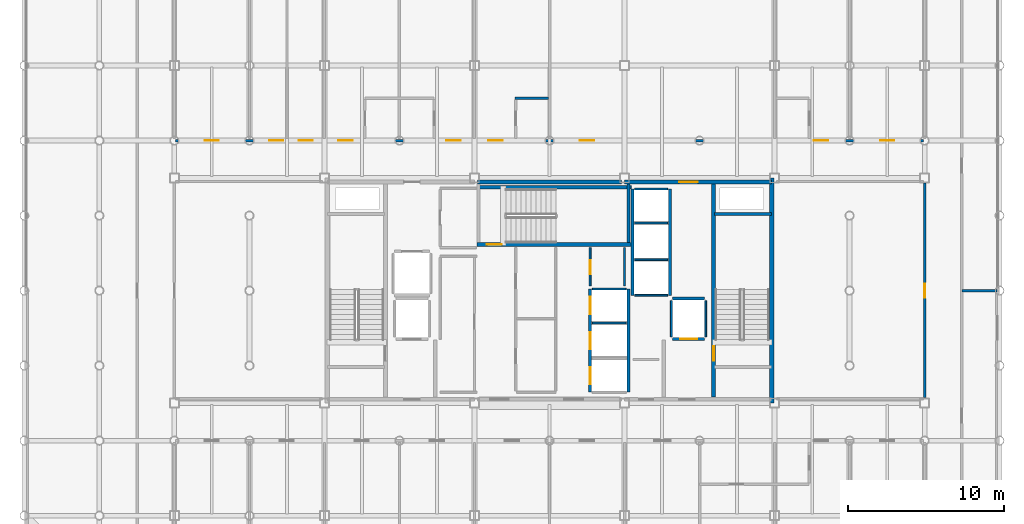
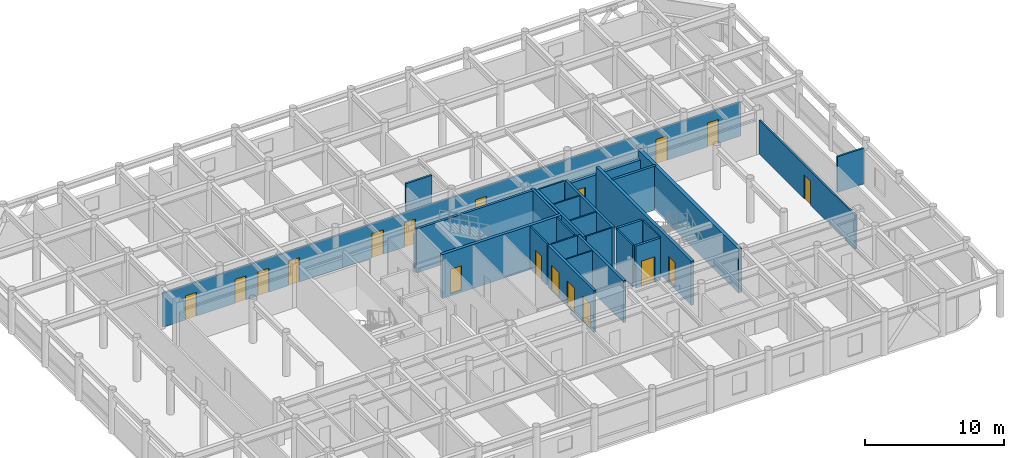
# One storey, part 20 of 22: 28 walls, 18 doors, 18 openings.
"""IFC4 building model written with IfcOpenShell, lengths in metres."""

from ifc_helpers import new_model, si_unit, direction, frame, frame_2d, origin, place, context, subcontext, project, spatial, rectangle, extrude, material, layer, layer_set, type_object, element, fill, save


model = new_model("IFC4")

# Units and contexts
model_context = context("Model", 3, precision=1e-05, world=origin(), true_north=direction((0.0, 1.0)))
body_context = subcontext(model_context, "Body", "Model", "MODEL_VIEW")
ifc_project = project(units=[si_unit("LENGTHUNIT", "METRE"), si_unit("AREAUNIT", "SQUARE_METRE"), si_unit("VOLUMEUNIT", "CUBIC_METRE"), si_unit("PLANEANGLEUNIT", "RADIAN"), si_unit("MASSUNIT", "GRAM", prefix="KILO")], contexts=[model_context])

# Site, building, storey
site_placement = place(None, origin())
site = spatial("IfcSite", under=ifc_project, at=site_placement, CompositionType="ELEMENT")
building_placement = place(site_placement, origin())
building = spatial("IfcBuilding", under=site, at=building_placement, Name="Kallvorn Hotel Tower", CompositionType="ELEMENT")
storey_placement = place(building_placement, frame((0.0, 0.0, 256.949951171875)))
storey = spatial("IfcBuildingStorey", under=building, at=storey_placement, Name="L64", CompositionType="ELEMENT", Elevation=256.949951171875)

# Wall
ifc_material_1 = material(Name="Concrete C50/60", Category="concrete")
ifc_layer_1 = layer(ifc_material_1, 0.300048828125)
ifc_layer_set_1 = layer_set([ifc_layer_1], Name="WL_CORE_300")
wall_type_1 = type_object("IfcWallType", Name="WL_CORE_300", PredefinedType="SHEAR", material=ifc_layer_set_1)
wall_1_placement = place(storey_placement, frame((14.215087890625, -7.199951171875, -0.179931640625), z_axis=(0.0, 0.0, 1.0), x_axis=(0.0, 1.0, 0.0)))
element("IfcWall", 1, at=wall_1_placement, inside=storey, type_object=wall_type_1, Name="L64 Core East Shear Wall", PredefinedType="SHEAR", context=body_context, shape_type="SweptSolid", body=[
    extrude(rectangle(XDim=14.39990234375, YDim=0.300048828125, at=frame_2d((7.199951171875, 0.0))), origin(), (0.0, 0.0, 1.0), 3.85009765625),
])

# Wall, openings, doors
ifc_material_2 = material(Name="Fire-rated double-layer acoustic gypsum drywall EI 60")
ifc_layer_2 = layer(ifc_material_2, 0.159912109375)
ifc_layer_set_2 = layer_set([ifc_layer_2], Name="WL_DEMISE_160")
wall_type_2 = type_object("IfcWallType", Name="WL_DEMISE_160", PredefinedType="PARTITIONING", material=ifc_layer_set_2)
wall_2_placement = place(storey_placement, frame((-23.919921875, 9.60009765625, 0.0), z_axis=(0.0, 0.0, 1.0), x_axis=(1.0, 0.0, 0.0)))
wall_2 = element("IfcWall", 2, at=wall_2_placement, inside=storey, type_object=wall_type_2, Name="L64 Suite 6403 Standard Twin Room Partition", PredefinedType="PARTITIONING", context=body_context, shape_type="SweptSolid", body=[
    extrude(rectangle(XDim=47.83984375, YDim=0.159912109375, at=frame_2d((23.919921875, 0.0))), origin(), (0.0, 0.0, 1.0), 2.969970703125),
])
opening_1_placement = place(wall_2_placement, frame((1.8701171875, 0.0, 0.0)))
opening_1 = element("IfcOpeningElement", 3, at=opening_1_placement, cuts=wall_2, Name="Opening SVD1", PredefinedType="OPENING", context=body_context, shape_type="SweptSolid", body=[
    extrude(rectangle(XDim=0.89990234375, YDim=2.10009765625, at=frame_2d((0.449951171875, 1.050048828125))), frame((0.0, 0.094970703125, 0.0), z_axis=(0.0, -1.0, 0.0), x_axis=(1.0, 0.0, 0.0)), (0.0, 0.0, 1.0), 0.18994140625),
])
opening_2_placement = place(wall_2_placement, frame((45.070068359375, 0.0, 0.0)))
opening_2 = element("IfcOpeningElement", 4, at=opening_2_placement, cuts=wall_2, Name="Opening SVD1", PredefinedType="OPENING", context=body_context, shape_type="SweptSolid", body=[
    extrude(rectangle(XDim=0.89990234375, YDim=2.10009765625, at=frame_2d((0.449951171875, 1.050048828125))), frame((0.0, 0.094970703125, 0.0), z_axis=(0.0, -1.0, 0.0), x_axis=(1.0, 0.0, 0.0)), (0.0, 0.0, 1.0), 0.18994140625),
])
opening_3_placement = place(wall_2_placement, frame((5.97998046875, 0.0, 0.0)))
opening_3 = element("IfcOpeningElement", 5, at=opening_3_placement, cuts=wall_2, Name="Opening SVD1", PredefinedType="OPENING", context=body_context, shape_type="SweptSolid", body=[
    extrude(rectangle(XDim=0.89990234375, YDim=2.10009765625, at=frame_2d((0.449951171875, 1.050048828125))), frame((0.0, 0.094970703125, 0.0), z_axis=(0.0, -1.0, 0.0), x_axis=(1.0, 0.0, 0.0)), (0.0, 0.0, 1.0), 0.18994140625),
])
opening_4_placement = place(wall_2_placement, frame((7.8701171875, 0.0, 0.0)))
opening_4 = element("IfcOpeningElement", 6, at=opening_4_placement, cuts=wall_2, Name="Opening SVD1", PredefinedType="OPENING", context=body_context, shape_type="SweptSolid", body=[
    extrude(rectangle(XDim=0.89990234375, YDim=2.10009765625, at=frame_2d((0.449951171875, 1.050048828125))), frame((0.0, 0.094970703125, 0.0), z_axis=(0.0, -1.0, 0.0), x_axis=(1.0, 0.0, 0.0)), (0.0, 0.0, 1.0), 0.18994140625),
])
opening_5_placement = place(wall_2_placement, frame((10.39501953125, 0.0, 0.0)))
opening_5 = element("IfcOpeningElement", 7, at=opening_5_placement, cuts=wall_2, Name="Opening GD1", PredefinedType="OPENING", context=body_context, shape_type="SweptSolid", body=[
    extrude(rectangle(XDim=0.919921875, YDim=2.14990234375, at=frame_2d((0.4599609375, 1.074951171875))), frame((0.0, 0.094970703125, 0.0), z_axis=(0.0, -1.0, 0.0), x_axis=(1.0, 0.0, 0.0)), (0.0, 0.0, 1.0), 0.18994140625),
])
opening_6_placement = place(wall_2_placement, frame((17.324951171875, 0.0, 0.0)))
opening_6 = element("IfcOpeningElement", 8, at=opening_6_placement, cuts=wall_2, Name="Opening GD1", PredefinedType="OPENING", context=body_context, shape_type="SweptSolid", body=[
    extrude(rectangle(XDim=0.919921875, YDim=2.14990234375, at=frame_2d((0.4599609375, 1.074951171875))), frame((0.0, 0.094970703125, 0.0), z_axis=(0.0, -1.0, 0.0), x_axis=(1.0, 0.0, 0.0)), (0.0, 0.0, 1.0), 0.18994140625),
])
opening_7_placement = place(wall_2_placement, frame((19.9951171875, 0.0, 0.0)))
opening_7 = element("IfcOpeningElement", 9, at=opening_7_placement, cuts=wall_2, Name="Opening GD1", PredefinedType="OPENING", context=body_context, shape_type="SweptSolid", body=[
    extrude(rectangle(XDim=0.919921875, YDim=2.14990234375, at=frame_2d((0.4599609375, 1.074951171875))), frame((0.0, 0.094970703125, 0.0), z_axis=(0.0, -1.0, 0.0), x_axis=(1.0, 0.0, 0.0)), (0.0, 0.0, 1.0), 0.18994140625),
])
opening_8_placement = place(wall_2_placement, frame((25.8701171875, 0.0, 0.0)))
opening_8 = element("IfcOpeningElement", 10, at=opening_8_placement, cuts=wall_2, Name="Opening SVD1", PredefinedType="OPENING", context=body_context, shape_type="SweptSolid", body=[
    extrude(rectangle(XDim=0.89990234375, YDim=2.10009765625, at=frame_2d((0.449951171875, 1.050048828125))), frame((0.0, 0.094970703125, 0.0), z_axis=(0.0, -1.0, 0.0), x_axis=(1.0, 0.0, 0.0)), (0.0, 0.0, 1.0), 0.18994140625),
])
opening_9_placement = place(wall_2_placement, frame((40.830078125, 0.0, 0.0)))
opening_9 = element("IfcOpeningElement", 11, at=opening_9_placement, cuts=wall_2, Name="Opening GD1", PredefinedType="OPENING", context=body_context, shape_type="SweptSolid", body=[
    extrude(rectangle(XDim=0.919921875, YDim=2.14990234375, at=frame_2d((0.4599609375, 1.074951171875))), frame((0.0, 0.094970703125, 0.0), z_axis=(0.0, -1.0, 0.0), x_axis=(1.0, 0.0, 0.0)), (0.0, 0.0, 1.0), 0.18994140625),
])
ifc_material_3 = material(Name="Solid-core walnut veneer fire-rated timber door leaf", Category="wood")
door_type_1 = type_object("IfcDoorType", Name="DR_GUEST_920x2150", OperationType="NOTDEFINED", PredefinedType="DOOR", material=ifc_material_3)
door_1_placement = place(opening_5_placement, origin())
door_1 = element("IfcDoor", 12, at=door_1_placement, inside=storey, type_object=door_type_1, Name="L64 Suite 6403 Standard Twin Room Door", OperationType="SINGLE_SWING_RIGHT", OverallHeight=2.14990234375, OverallWidth=0.919921875, PredefinedType="DOOR", context=body_context, shape_type="SweptSolid", body=[
    extrude(rectangle(XDim=0.919921875, YDim=2.14990234375, at=frame_2d((0.4599609375, 1.074951171875))), frame((0.0, 0.02490234375, 0.0), z_axis=(0.0, -1.0, 0.0), x_axis=(1.0, 0.0, 0.0)), (0.0, 0.0, 1.0), 0.050048828125),
])
fill(opening_5, door_1)
door_2_placement = place(opening_6_placement, origin())
door_2 = element("IfcDoor", 13, at=door_2_placement, inside=storey, type_object=door_type_1, Name="L64 Suite 6404 Standard Twin Room Door", OperationType="SINGLE_SWING_LEFT", OverallHeight=2.14990234375, OverallWidth=0.919921875, PredefinedType="DOOR", context=body_context, shape_type="SweptSolid", body=[
    extrude(rectangle(XDim=0.919921875, YDim=2.14990234375, at=frame_2d((0.4599609375, 1.074951171875))), frame((0.0, 0.02490234375, 0.0), z_axis=(0.0, -1.0, 0.0), x_axis=(1.0, 0.0, 0.0)), (0.0, 0.0, 1.0), 0.050048828125),
])
fill(opening_6, door_2)
door_3_placement = place(opening_7_placement, origin())
door_3 = element("IfcDoor", 14, at=door_3_placement, inside=storey, type_object=door_type_1, Name="L64 Suite 6405 Standard Twin Room Door", OperationType="SINGLE_SWING_LEFT", OverallHeight=2.14990234375, OverallWidth=0.919921875, PredefinedType="DOOR", context=body_context, shape_type="SweptSolid", body=[
    extrude(rectangle(XDim=0.919921875, YDim=2.14990234375, at=frame_2d((0.4599609375, 1.074951171875))), frame((0.0, 0.02490234375, 0.0), z_axis=(0.0, -1.0, 0.0), x_axis=(1.0, 0.0, 0.0)), (0.0, 0.0, 1.0), 0.050048828125),
])
fill(opening_7, door_3)
door_4_placement = place(opening_9_placement, origin())
door_4 = element("IfcDoor", 15, at=door_4_placement, inside=storey, type_object=door_type_1, Name="L64 Suite 6406 Standard Twin Room Door", OperationType="SINGLE_SWING_LEFT", OverallHeight=2.14990234375, OverallWidth=0.919921875, PredefinedType="DOOR", context=body_context, shape_type="SweptSolid", body=[
    extrude(rectangle(XDim=0.919921875, YDim=2.14990234375, at=frame_2d((0.4599609375, 1.074951171875))), frame((0.0, 0.02490234375, 0.0), z_axis=(0.0, -1.0, 0.0), x_axis=(1.0, 0.0, 0.0)), (0.0, 0.0, 1.0), 0.050048828125),
])
fill(opening_9, door_4)
ifc_material_4 = material(Name="Galvanised painted steel fire-rated door assembly", Category="steel")
door_type_2 = type_object("IfcDoorType", Name="DR_SERV_900x2100", OperationType="NOTDEFINED", PredefinedType="DOOR", material=ifc_material_4)
door_5_placement = place(opening_1_placement, origin())
door_5 = element("IfcDoor", 16, at=door_5_placement, inside=storey, type_object=door_type_2, Name="L64 L64 High-Zone North-West Reading Salon Door", OperationType="SINGLE_SWING_RIGHT", OverallHeight=2.10009765625, OverallWidth=0.89990234375, PredefinedType="DOOR", context=body_context, shape_type="SweptSolid", body=[
    extrude(rectangle(XDim=0.89990234375, YDim=2.10009765625, at=frame_2d((0.449951171875, 1.050048828125))), frame((0.0, 0.02490234375, 0.0), z_axis=(0.0, -1.0, 0.0), x_axis=(1.0, 0.0, 0.0)), (0.0, 0.0, 1.0), 0.050048828125),
])
fill(opening_1, door_5)
door_6_placement = place(opening_2_placement, origin())
door_6 = element("IfcDoor", 17, at=door_6_placement, inside=storey, type_object=door_type_2, Name="L64 L64 High-Zone North-East Pastry Bar Door", OperationType="SINGLE_SWING_LEFT", OverallHeight=2.10009765625, OverallWidth=0.89990234375, PredefinedType="DOOR", context=body_context, shape_type="SweptSolid", body=[
    extrude(rectangle(XDim=0.89990234375, YDim=2.10009765625, at=frame_2d((0.449951171875, 1.050048828125))), frame((0.0, 0.02490234375, 0.0), z_axis=(0.0, -1.0, 0.0), x_axis=(1.0, 0.0, 0.0)), (0.0, 0.0, 1.0), 0.050048828125),
])
fill(opening_2, door_6)
door_7_placement = place(opening_3_placement, origin())
door_7 = element("IfcDoor", 18, at=door_7_placement, inside=storey, type_object=door_type_2, Name="L64 Housekeeping and Linen Room Door", OperationType="SINGLE_SWING_LEFT", OverallHeight=2.10009765625, OverallWidth=0.89990234375, PredefinedType="DOOR", context=body_context, shape_type="SweptSolid", body=[
    extrude(rectangle(XDim=0.89990234375, YDim=2.10009765625, at=frame_2d((0.449951171875, 1.050048828125))), frame((0.0, 0.02490234375, 0.0), z_axis=(0.0, -1.0, 0.0), x_axis=(1.0, 0.0, 0.0)), (0.0, 0.0, 1.0), 0.050048828125),
])
fill(opening_3, door_7)
door_8_placement = place(opening_4_placement, origin())
door_8 = element("IfcDoor", 19, at=door_8_placement, inside=storey, type_object=door_type_2, Name="L64 Guest Tea and Refreshment Bar Door", OperationType="SINGLE_SWING_LEFT", OverallHeight=2.10009765625, OverallWidth=0.89990234375, PredefinedType="DOOR", context=body_context, shape_type="SweptSolid", body=[
    extrude(rectangle(XDim=0.89990234375, YDim=2.10009765625, at=frame_2d((0.449951171875, 1.050048828125))), frame((0.0, 0.02490234375, 0.0), z_axis=(0.0, -1.0, 0.0), x_axis=(1.0, 0.0, 0.0)), (0.0, 0.0, 1.0), 0.050048828125),
])
fill(opening_4, door_8)
door_9_placement = place(opening_8_placement, origin())
door_9 = element("IfcDoor", 20, at=door_9_placement, inside=storey, type_object=door_type_2, Name="L64 L64 Cordillera Botanical Tea Salon 5 Door", OperationType="SINGLE_SWING_RIGHT", OverallHeight=2.10009765625, OverallWidth=0.89990234375, PredefinedType="DOOR", context=body_context, shape_type="SweptSolid", body=[
    extrude(rectangle(XDim=0.89990234375, YDim=2.10009765625, at=frame_2d((0.449951171875, 1.050048828125))), frame((0.0, 0.02490234375, 0.0), z_axis=(0.0, -1.0, 0.0), x_axis=(1.0, 0.0, 0.0)), (0.0, 0.0, 1.0), 0.050048828125),
])
fill(opening_8, door_9)

# Walls
wall_3_placement = place(storey_placement, frame((-2.2099609375, 12.320068359375, 0.0), z_axis=(0.0, 0.0, 1.0), x_axis=(1.0, 0.0, 0.0)))
element("IfcWall", 21, at=wall_3_placement, inside=storey, type_object=wall_type_2, Name="L64 Suite 6405 Standard Twin Room Partition", PredefinedType="PARTITIONING", context=body_context, shape_type="SweptSolid", body=[
    extrude(rectangle(XDim=2.1298828125, YDim=0.159912109375, at=frame_2d((1.06494140625, 0.0))), origin(), (0.0, 0.0, 1.0), 3.31005859375),
])
ifc_material_5 = material(Name="Concrete C40/50", Category="concrete")
ifc_layer_3 = layer(ifc_material_5, 0.199951171875)
ifc_layer_set_3 = layer_set([ifc_layer_3], Name="WL_HOIST_200")
wall_type_3 = type_object("IfcWallType", Name="WL_HOIST_200", PredefinedType="SOLIDWALL", material=ifc_layer_set_3)
wall_4_placement = place(storey_placement, frame((10.550048828125, 4.89990234375, -0.179931640625), z_axis=(0.0, 0.0, 1.0), x_axis=(1.0, 0.0, 0.0)))
element("IfcWall", 22, at=wall_4_placement, inside=storey, type_object=wall_type_3, Name="L64 Stair ST2 North Wall", PredefinedType="SOLIDWALL", context=body_context, shape_type="SweptSolid", body=[
    extrude(rectangle(XDim=3.64990234375, YDim=0.199951171875, at=frame_2d((1.824951171875, 0.0))), origin(), (0.0, 0.0, 1.0), 3.85009765625),
])
wall_5_placement = place(storey_placement, frame((-4.64990234375, 6.610107421875, -0.179931640625), z_axis=(0.0, 0.0, 1.0), x_axis=(1.0, 0.0, 0.0)))
element("IfcWall", 23, at=wall_5_placement, inside=storey, type_object=wall_type_3, Name="L64 Stair ST3 Shaft North Wall", PredefinedType="SOLIDWALL", context=body_context, shape_type="SweptSolid", body=[
    extrude(rectangle(XDim=9.89990234375, YDim=0.199951171875, at=frame_2d((4.949951171875, 0.0))), origin(), (0.0, 0.0, 1.0), 3.85009765625),
])
wall_6_placement = place(storey_placement, frame((5.06005859375, 3.080078125, -0.179931640625), z_axis=(0.0, 0.0, 1.0), x_axis=(0.0, 1.0, 0.0)))
element("IfcWall", 24, at=wall_6_placement, inside=storey, type_object=wall_type_3, Name="L64 Stair ST3 East Wall", PredefinedType="SOLIDWALL", context=body_context, shape_type="SweptSolid", body=[
    extrude(rectangle(XDim=3.739990234375, YDim=0.199951171875, at=frame_2d((1.8701171875, 0.0))), origin(), (0.0, 0.0, 1.0), 3.85009765625),
])

# Wall, openings, doors
wall_7_placement = place(storey_placement, frame((2.60009765625, -6.5, 0.0), z_axis=(0.0, 0.0, 1.0), x_axis=(0.0, 1.0, 0.0)))
wall_7 = element("IfcWall", 25, at=wall_7_placement, inside=storey, type_object=wall_type_3, Name="L64 Lift Bank B3A Landing Wall", PredefinedType="SOLIDWALL", context=body_context, shape_type="SweptSolid", body=[
    extrude(rectangle(XDim=6.60009765625, YDim=0.199951171875, at=frame_2d((3.300048828125, 0.0))), origin(), (0.0, 0.0, 1.0), 3.670166015625),
])
opening_10_placement = place(wall_7_placement, frame((0.5, 0.0, 0.0)))
opening_10 = element("IfcOpeningElement", 26, at=opening_10_placement, cuts=wall_7, Name="Opening LD-PL-09", PredefinedType="OPENING", context=body_context, shape_type="SweptSolid", body=[
    extrude(rectangle(XDim=1.10009765625, YDim=2.199951171875, at=frame_2d((0.550048828125, 1.10009765625))), frame((0.0, 0.114990234375, 0.0), z_axis=(0.0, -1.0, 0.0), x_axis=(1.0, 0.0, 0.0)), (0.0, 0.0, 1.0), 0.22998046875),
])
opening_11_placement = place(wall_7_placement, frame((2.75, 0.0, 0.0)))
opening_11 = element("IfcOpeningElement", 27, at=opening_11_placement, cuts=wall_7, Name="Opening LD-PL-10", PredefinedType="OPENING", context=body_context, shape_type="SweptSolid", body=[
    extrude(rectangle(XDim=1.10009765625, YDim=2.199951171875, at=frame_2d((0.550048828125, 1.10009765625))), frame((0.0, 0.114990234375, 0.0), z_axis=(0.0, -1.0, 0.0), x_axis=(1.0, 0.0, 0.0)), (0.0, 0.0, 1.0), 0.22998046875),
])
opening_12_placement = place(wall_7_placement, frame((5.0, 0.0, 0.0)))
opening_12 = element("IfcOpeningElement", 28, at=opening_12_placement, cuts=wall_7, Name="Opening LD-PL-11", PredefinedType="OPENING", context=body_context, shape_type="SweptSolid", body=[
    extrude(rectangle(XDim=1.10009765625, YDim=2.199951171875, at=frame_2d((0.550048828125, 1.10009765625))), frame((0.0, 0.114990234375, 0.0), z_axis=(0.0, -1.0, 0.0), x_axis=(1.0, 0.0, 0.0)), (0.0, 0.0, 1.0), 0.22998046875),
])
ifc_material_6 = material(Name="Brushed stainless-steel automatic sliding lift landing door", Category="steel")
door_type_3 = type_object("IfcDoorType", Name="LD_PASS_1100x2200", OperationType="SLIDING_TO_LEFT", PredefinedType="DOOR", material=ifc_material_6)
door_10_placement = place(opening_10_placement, origin())
door_10 = element("IfcDoor", 29, at=door_10_placement, inside=storey, type_object=door_type_3, Name="L64 Lift Landing Sliding Door LD-PL-09", OperationType="SLIDING_TO_LEFT", OverallHeight=2.199951171875, OverallWidth=1.10009765625, PredefinedType="DOOR", context=body_context, shape_type="SweptSolid", body=[
    extrude(rectangle(XDim=1.10009765625, YDim=2.199951171875, at=frame_2d((0.550048828125, 1.10009765625))), frame((0.0, 0.02490234375, 0.0), z_axis=(0.0, -1.0, 0.0), x_axis=(1.0, 0.0, 0.0)), (0.0, 0.0, 1.0), 0.050048828125),
])
fill(opening_10, door_10)
door_11_placement = place(opening_11_placement, origin())
door_11 = element("IfcDoor", 30, at=door_11_placement, inside=storey, type_object=door_type_3, Name="L64 Lift Landing Sliding Door LD-PL-10", OperationType="SLIDING_TO_LEFT", OverallHeight=2.199951171875, OverallWidth=1.10009765625, PredefinedType="DOOR", context=body_context, shape_type="SweptSolid", body=[
    extrude(rectangle(XDim=1.10009765625, YDim=2.199951171875, at=frame_2d((0.550048828125, 1.10009765625))), frame((0.0, 0.02490234375, 0.0), z_axis=(0.0, -1.0, 0.0), x_axis=(1.0, 0.0, 0.0)), (0.0, 0.0, 1.0), 0.050048828125),
])
fill(opening_11, door_11)
door_12_placement = place(opening_12_placement, origin())
door_12 = element("IfcDoor", 31, at=door_12_placement, inside=storey, type_object=door_type_3, Name="L64 Lift Landing Sliding Door LD-PL-11", OperationType="SLIDING_TO_LEFT", OverallHeight=2.199951171875, OverallWidth=1.10009765625, PredefinedType="DOOR", context=body_context, shape_type="SweptSolid", body=[
    extrude(rectangle(XDim=1.10009765625, YDim=2.199951171875, at=frame_2d((0.550048828125, 1.10009765625))), frame((0.0, 0.02490234375, 0.0), z_axis=(0.0, -1.0, 0.0), x_axis=(1.0, 0.0, 0.0)), (0.0, 0.0, 1.0), 0.050048828125),
])
fill(opening_12, door_12)

# Walls
wall_8_placement = place(storey_placement, frame((5.050048828125, -6.5, 0.0), z_axis=(0.0, 0.0, 1.0), x_axis=(0.0, 1.0, 0.0)))
element("IfcWall", 32, at=wall_8_placement, inside=storey, type_object=wall_type_3, Name="L64 Lift Bank B3A Rear Shaft Wall", PredefinedType="SOLIDWALL", context=body_context, shape_type="SweptSolid", body=[
    extrude(rectangle(XDim=6.60009765625, YDim=0.199951171875, at=frame_2d((3.300048828125, 0.0))), origin(), (0.0, 0.0, 1.0), 3.670166015625),
])
for number, where, z_axis, x_axis, name in (
    (33, (7.699951171875, -0.300048828125, 0.0), (0.0, 0.0, 1.0), (0.0, 1.0, 0.0), "L64 Lift Bank OBS Landing Wall"),
    (34, (5.300048828125, -0.300048828125, 0.0), (0.0, 0.0, 1.0), (0.0, 1.0, 0.0), "L64 Lift Bank OBS Rear Shaft Wall"),
):
    element("IfcWall", number, at=place(storey_placement, frame(where, z_axis=z_axis, x_axis=x_axis)), inside=storey, type_object=wall_type_3, Name=name, PredefinedType="SOLIDWALL", context=body_context, shape_type="SweptSolid", body=[
        extrude(rectangle(XDim=6.800048828125, YDim=0.199951171875, at=frame_2d((3.39990234375, 0.0))), origin(), (0.0, 0.0, 1.0), 3.670166015625),
    ])

# Wall, opening, door
wall_9_placement = place(storey_placement, frame((7.8798828125, -3.10009765625, 0.0), z_axis=(0.0, 0.0, 1.0), x_axis=(1.0, 0.0, 0.0)))
wall_9 = element("IfcWall", 35, at=wall_9_placement, inside=storey, type_object=wall_type_3, Name="L64 FL-2 Landing Wall", PredefinedType="SOLIDWALL", context=body_context, shape_type="SweptSolid", body=[
    extrude(rectangle(XDim=2.0400390625, YDim=0.199951171875, at=frame_2d((1.02001953125, 0.0))), origin(), (0.0, 0.0, 1.0), 3.670166015625),
])
opening_13_placement = place(wall_9_placement, frame((0.469970703125, 0.0, 0.0)))
opening_13 = element("IfcOpeningElement", 36, at=opening_13_placement, cuts=wall_9, Name="Opening LD-FL-2", PredefinedType="OPENING", context=body_context, shape_type="SweptSolid", body=[
    extrude(rectangle(XDim=1.10009765625, YDim=2.199951171875, at=frame_2d((0.550048828125, 1.10009765625))), frame((0.0, 0.114990234375, 0.0), z_axis=(0.0, -1.0, 0.0), x_axis=(1.0, 0.0, 0.0)), (0.0, 0.0, 1.0), 0.22998046875),
])
door_13_placement = place(opening_13_placement, origin())
door_13 = element("IfcDoor", 37, at=door_13_placement, inside=storey, type_object=door_type_3, Name="L64 Lift Landing Sliding Door LD-FL-2", OperationType="SLIDING_TO_LEFT", OverallHeight=2.199951171875, OverallWidth=1.10009765625, PredefinedType="DOOR", context=body_context, shape_type="SweptSolid", body=[
    extrude(rectangle(XDim=1.10009765625, YDim=2.199951171875, at=frame_2d((0.550048828125, 1.10009765625))), frame((0.0, 0.02490234375, 0.0), z_axis=(0.0, -1.0, 0.0), x_axis=(1.0, 0.0, 0.0)), (0.0, 0.0, 1.0), 0.050048828125),
])
fill(opening_13, door_13)

# Walls
wall_10_placement = place(storey_placement, frame((7.8798828125, -0.5, 0.0), z_axis=(0.0, 0.0, 1.0), x_axis=(1.0, 0.0, 0.0)))
element("IfcWall", 38, at=wall_10_placement, inside=storey, type_object=wall_type_3, Name="L64 FL-2 Rear Shaft Wall", PredefinedType="SOLIDWALL", context=body_context, shape_type="SweptSolid", body=[
    extrude(rectangle(XDim=2.0400390625, YDim=0.199951171875, at=frame_2d((1.02001953125, 0.0))), origin(), (0.0, 0.0, 1.0), 3.670166015625),
])
ifc_material_7 = material(Name="Fire-rated double-layer acoustic gypsum drywall EI 60")
ifc_layer_4 = layer(ifc_material_7, 0.1201171875)
ifc_layer_set_4 = layer_set([ifc_layer_4], Name="WL_INT_120")
wall_type_4 = type_object("IfcWallType", Name="WL_INT_120", PredefinedType="PARTITIONING", material=ifc_layer_set_4)
for number, where, z_axis, x_axis, name in (
    (39, (2.739990234375, -2.074951171875, 0.0), (0.0, 0.0, 1.0), (1.0, 0.0, 0.0), "L64 PL-10 Hoistway Divider"),
    (40, (2.739990234375, 0.10009765625, 0.0), (0.0, 0.0, 1.0), (1.0, 0.0, 0.0), "L64 PL-11 Hoistway Divider"),
):
    element("IfcWall", number, at=place(storey_placement, frame(where, z_axis=z_axis, x_axis=x_axis)), inside=storey, type_object=wall_type_4, Name=name, PredefinedType="PARTITIONING", context=body_context, shape_type="SweptSolid", body=[
        extrude(rectangle(XDim=2.169921875, YDim=0.1201171875, at=frame_2d((1.0849609375, 0.0))), origin(), (0.0, 0.0, 1.0), 3.670166015625),
    ])
for number, where, z_axis, x_axis, name in (
    (41, (5.43994140625, -0.300048828125, 0.0), (0.0, 0.0, 1.0), (1.0, 0.0, 0.0), "L64 Lift Bank OBS South Closure Wall"),
    (42, (5.43994140625, 1.97509765625, 0.0), (0.0, 0.0, 1.0), (1.0, 0.0, 0.0), "L64 OB-01 Hoistway Divider"),
    (43, (5.43994140625, 4.324951171875, 0.0), (0.0, 0.0, 1.0), (1.0, 0.0, 0.0), "L64 OB-02 Hoistway Divider"),
    (44, (5.43994140625, 6.5, 0.0), (0.0, 0.0, 1.0), (1.0, 0.0, 0.0), "L64 OB-03 Hoistway Divider"),
):
    element("IfcWall", number, at=place(storey_placement, frame(where, z_axis=z_axis, x_axis=x_axis)), inside=storey, type_object=wall_type_4, Name=name, PredefinedType="PARTITIONING", context=body_context, shape_type="SweptSolid", body=[
        extrude(rectangle(XDim=2.1201171875, YDim=0.1201171875, at=frame_2d((1.06005859375, 0.0))), origin(), (0.0, 0.0, 1.0), 3.670166015625),
    ])
for number, where, z_axis, x_axis, name in (
    (45, (7.800048828125, -2.9599609375, 0.0), (0.0, 0.0, 1.0), (0.0, 1.0, 0.0), "L64 FL-2 West Shaft Wall"),
    (46, (10.0, -2.9599609375, 0.0), (0.0, 0.0, 1.0), (0.0, 1.0, 0.0), "L64 FL-2 East Shaft Wall"),
):
    element("IfcWall", number, at=place(storey_placement, frame(where, z_axis=z_axis, x_axis=x_axis)), inside=storey, type_object=wall_type_4, Name=name, PredefinedType="PARTITIONING", context=body_context, shape_type="SweptSolid", body=[
        extrude(rectangle(XDim=2.320068359375, YDim=0.1201171875, at=frame_2d((1.16015625, 0.0))), origin(), (0.0, 0.0, 1.0), 3.670166015625),
    ])

# Wall, opening, door
wall_11_placement = place(storey_placement, frame((2.60009765625, 0.300048828125, 0.0), z_axis=(0.0, 0.0, 1.0), x_axis=(0.0, 1.0, 0.0)))
wall_11 = element("IfcWall", 47, at=wall_11_placement, inside=storey, type_object=wall_type_4, Name="L64 East Core Janitor Room Partition", PredefinedType="PARTITIONING", context=body_context, shape_type="SweptSolid", body=[
    extrude(rectangle(XDim=2.449951171875, YDim=0.1201171875, at=frame_2d((1.22509765625, 0.0))), origin(), (0.0, 0.0, 1.0), 3.670166015625),
])
opening_14_placement = place(wall_11_placement, frame((0.75, 0.0, 0.0)))
opening_14 = element("IfcOpeningElement", 48, at=opening_14_placement, cuts=wall_11, Name="Opening SVD1", PredefinedType="OPENING", context=body_context, shape_type="SweptSolid", body=[
    extrude(rectangle(XDim=0.89990234375, YDim=2.10009765625, at=frame_2d((0.449951171875, 1.050048828125))), frame((0.0, 0.074951171875, 0.0), z_axis=(0.0, -1.0, 0.0), x_axis=(1.0, 0.0, 0.0)), (0.0, 0.0, 1.0), 0.150146484375),
])
door_14_placement = place(opening_14_placement, origin())
door_14 = element("IfcDoor", 49, at=door_14_placement, inside=storey, type_object=door_type_2, Name="L64 East Core Janitor Room Door", OperationType="SINGLE_SWING_LEFT", OverallHeight=2.10009765625, OverallWidth=0.89990234375, PredefinedType="DOOR", context=body_context, shape_type="SweptSolid", body=[
    extrude(rectangle(XDim=0.89990234375, YDim=2.10009765625, at=frame_2d((0.449951171875, 1.050048828125))), frame((0.0, 0.02490234375, 0.0), z_axis=(0.0, -1.0, 0.0), x_axis=(1.0, 0.0, 0.0)), (0.0, 0.0, 1.0), 0.050048828125),
])
fill(opening_14, door_14)

# Walls
wall_12_placement = place(storey_placement, frame((4.800048828125, 0.300048828125, 0.0), z_axis=(0.0, 0.0, 1.0), x_axis=(0.0, 1.0, 0.0)))
element("IfcWall", 50, at=wall_12_placement, inside=storey, type_object=wall_type_4, Name="L64 East Core Janitor Room Partition", PredefinedType="PARTITIONING", context=body_context, shape_type="SweptSolid", body=[
    extrude(rectangle(XDim=2.449951171875, YDim=0.1201171875, at=frame_2d((1.22509765625, 0.0))), origin(), (0.0, 0.0, 1.0), 3.670166015625),
])
ifc_material_8 = material(Name="Fire-rated double-layer acoustic gypsum drywall EI 60")
ifc_layer_5 = layer(ifc_material_8, 0.14990234375)
ifc_layer_set_5 = layer_set([ifc_layer_5], Name="WL_PART_150")
wall_type_5 = type_object("IfcWallType", Name="WL_PART_150", PredefinedType="PARTITIONING", material=ifc_layer_set_5)
wall_13_placement = place(storey_placement, frame((26.3798828125, 0.0, 0.0), z_axis=(0.0, 0.0, 1.0), x_axis=(1.0, 0.0, 0.0)))
element("IfcWall", 51, at=wall_13_placement, inside=storey, type_object=wall_type_5, Name="L64 L64 Outer East South Tasting Bar Partition", PredefinedType="PARTITIONING", context=body_context, shape_type="SweptSolid", body=[
    extrude(rectangle(XDim=2.25, YDim=0.14990234375, at=frame_2d((1.125, 0.0))), origin(), (0.0, 0.0, 1.0), 3.1201171875),
])

# Wall, opening, door
wall_14_placement = place(storey_placement, frame((24.0, -6.8349609375, 0.0), z_axis=(0.0, 0.0, 1.0), x_axis=(0.0, 1.0, 0.0)))
wall_14 = element("IfcWall", 52, at=wall_14_placement, inside=storey, type_object=wall_type_5, Name="L64 L64 High-Zone Inner East Club Gallery Partition", PredefinedType="PARTITIONING", context=body_context, shape_type="SweptSolid", body=[
    extrude(rectangle(XDim=13.72998046875, YDim=0.14990234375, at=frame_2d((6.864990234375, 0.0))), origin(), (0.0, 0.0, 1.0), 2.969970703125),
])
opening_15_placement = place(wall_14_placement, frame((6.385009765625, 0.0, 0.0)))
opening_15 = element("IfcOpeningElement", 53, at=opening_15_placement, cuts=wall_14, Name="Opening SVD1", PredefinedType="OPENING", context=body_context, shape_type="SweptSolid", body=[
    extrude(rectangle(XDim=0.89990234375, YDim=2.10009765625, at=frame_2d((0.449951171875, 1.050048828125))), frame((0.0, 0.08984375, 0.0), z_axis=(0.0, -1.0, 0.0), x_axis=(1.0, 0.0, 0.0)), (0.0, 0.0, 1.0), 0.179931640625),
])
door_15_placement = place(opening_15_placement, origin())
door_15 = element("IfcDoor", 54, at=door_15_placement, inside=storey, type_object=door_type_2, Name="L64 L64 High-Zone Inner East Club Gallery Door", OperationType="SINGLE_SWING_LEFT", OverallHeight=2.10009765625, OverallWidth=0.89990234375, PredefinedType="DOOR", context=body_context, shape_type="SweptSolid", body=[
    extrude(rectangle(XDim=0.89990234375, YDim=2.10009765625, at=frame_2d((0.449951171875, 1.050048828125))), frame((0.0, 0.02490234375, 0.0), z_axis=(0.0, -1.0, 0.0), x_axis=(1.0, 0.0, 0.0)), (0.0, 0.0, 1.0), 0.050048828125),
])
fill(opening_15, door_15)

# Wall
ifc_material_9 = material(Name="Concrete C40/50", Category="concrete")
ifc_layer_6 = layer(ifc_material_9, 0.25)
ifc_layer_set_6 = layer_set([ifc_layer_6], Name="WL_SHAFT_250")
wall_type_6 = type_object("IfcWallType", Name="WL_SHAFT_250", PredefinedType="SOLIDWALL", material=ifc_layer_set_6)
wall_15_placement = place(storey_placement, frame((-4.60009765625, 6.949951171875, 0.0), z_axis=(0.0, 0.0, 1.0), x_axis=(1.0, 0.0, 0.0)))
element("IfcWall", 55, at=wall_15_placement, inside=storey, type_object=wall_type_6, Name="L64 Core North-Central Wall", PredefinedType="SOLIDWALL", context=body_context, shape_type="SweptSolid", body=[
    extrude(rectangle(XDim=9.2001953125, YDim=0.25, at=frame_2d((4.60009765625, 0.0))), origin(), (0.0, 0.0, 1.0), 2.969970703125),
])

# Wall, opening, door
wall_16_placement = place(storey_placement, frame((4.800048828125, 6.949951171875, 0.0), z_axis=(0.0, 0.0, 1.0), x_axis=(1.0, 0.0, 0.0)))
wall_16 = element("IfcWall", 56, at=wall_16_placement, inside=storey, type_object=wall_type_6, Name="L64 Core North-East Wall", PredefinedType="SOLIDWALL", context=body_context, shape_type="SweptSolid", body=[
    extrude(rectangle(XDim=9.39990234375, YDim=0.25, at=frame_2d((4.699951171875, 0.0))), origin(), (0.0, 0.0, 1.0), 2.969970703125),
])
opening_16_placement = place(wall_16_placement, frame((3.5, 0.0, 0.0)))
opening_16 = element("IfcOpeningElement", 57, at=opening_16_placement, cuts=wall_16, Name="Opening FD2", PredefinedType="OPENING", context=body_context, shape_type="SweptSolid", body=[
    extrude(rectangle(XDim=1.199951171875, YDim=2.199951171875, at=frame_2d((0.60009765625, 1.10009765625))), frame((0.0, 0.139892578125, 0.0), z_axis=(0.0, -1.0, 0.0), x_axis=(1.0, 0.0, 0.0)), (0.0, 0.0, 1.0), 0.280029296875),
])
ifc_material_10 = material(Name="Galvanised painted steel fire-rated door assembly", Category="steel")
door_type_4 = type_object("IfcDoorType", Name="DR_LOBBY_1200x2200", OperationType="DOUBLE_DOOR_SINGLE_SWING", PredefinedType="DOOR", material=ifc_material_10)
door_16_placement = place(opening_16_placement, origin())
door_16 = element("IfcDoor", 58, at=door_16_placement, inside=storey, type_object=door_type_4, Name="L64 Observatory Shuttle Lobby Door", OperationType="DOUBLE_DOOR_SINGLE_SWING", OverallHeight=2.199951171875, OverallWidth=1.199951171875, PredefinedType="DOOR", context=body_context, shape_type="SweptSolid", body=[
    extrude(rectangle(XDim=1.199951171875, YDim=2.199951171875, at=frame_2d((0.60009765625, 1.10009765625))), frame((0.0, 0.02490234375, 0.0), z_axis=(0.0, -1.0, 0.0), x_axis=(1.0, 0.0, 0.0)), (0.0, 0.0, 1.0), 0.050048828125),
])
fill(opening_16, door_16)

wall_17_placement = place(storey_placement, frame((10.5, -6.820068359375, -0.179931640625), z_axis=(0.0, 0.0, 1.0), x_axis=(0.0, 1.0, 0.0)))
wall_17 = element("IfcWall", 59, at=wall_17_placement, inside=storey, type_object=wall_type_6, Name="L64 Stair ST2 Shaft Wall", PredefinedType="SOLIDWALL", context=body_context, shape_type="SweptSolid", body=[
    extrude(rectangle(XDim=13.64013671875, YDim=0.25, at=frame_2d((6.820068359375, 0.0))), origin(), (0.0, 0.0, 1.0), 3.85009765625),
])
opening_17_placement = place(wall_17_placement, frame((2.320068359375, 0.0, 0.179931640625)))
opening_17 = element("IfcOpeningElement", 60, at=opening_17_placement, cuts=wall_17, Name="Opening SD1", PredefinedType="OPENING", context=body_context, shape_type="SweptSolid", body=[
    extrude(rectangle(XDim=0.949951171875, YDim=2.14990234375, at=frame_2d((0.47509765625, 1.074951171875))), frame((0.0, 0.139892578125, 0.0), z_axis=(0.0, -1.0, 0.0), x_axis=(1.0, 0.0, 0.0)), (0.0, 0.0, 1.0), 0.280029296875),
])
ifc_material_11 = material(Name="Galvanised painted steel fire-rated door assembly", Category="steel")
door_type_5 = type_object("IfcDoorType", Name="DR_STAIR_950x2150", OperationType="NOTDEFINED", PredefinedType="DOOR", material=ifc_material_11)
door_17_placement = place(opening_17_placement, origin())
door_17 = element("IfcDoor", 61, at=door_17_placement, inside=storey, type_object=door_type_5, Name="L64 Exit Stair ST2 Fire Door", OperationType="SINGLE_SWING_LEFT", OverallHeight=2.14990234375, OverallWidth=0.949951171875, PredefinedType="DOOR", context=body_context, shape_type="SweptSolid", body=[
    extrude(rectangle(XDim=0.949951171875, YDim=2.14990234375, at=frame_2d((0.47509765625, 1.074951171875))), frame((0.0, 0.02490234375, 0.0), z_axis=(0.0, -1.0, 0.0), x_axis=(1.0, 0.0, 0.0)), (0.0, 0.0, 1.0), 0.050048828125),
])
fill(opening_17, door_17)

wall_18_placement = place(storey_placement, frame((-4.64990234375, 2.949951171875, -0.179931640625), z_axis=(0.0, 0.0, 1.0), x_axis=(1.0, 0.0, 0.0)))
wall_18 = element("IfcWall", 62, at=wall_18_placement, inside=storey, type_object=wall_type_6, Name="L64 Stair ST3 Shaft South Wall", PredefinedType="SOLIDWALL", context=body_context, shape_type="SweptSolid", body=[
    extrude(rectangle(XDim=9.89990234375, YDim=0.25, at=frame_2d((4.949951171875, 0.0))), origin(), (0.0, 0.0, 1.0), 3.85009765625),
])
opening_18_placement = place(wall_18_placement, frame((0.64990234375, 0.0, 0.179931640625)))
opening_18 = element("IfcOpeningElement", 63, at=opening_18_placement, cuts=wall_18, Name="Opening SD1", PredefinedType="OPENING", context=body_context, shape_type="SweptSolid", body=[
    extrude(rectangle(XDim=0.949951171875, YDim=2.14990234375, at=frame_2d((0.47509765625, 1.074951171875))), frame((0.0, 0.139892578125, 0.0), z_axis=(0.0, -1.0, 0.0), x_axis=(1.0, 0.0, 0.0)), (0.0, 0.0, 1.0), 0.280029296875),
])
door_18_placement = place(opening_18_placement, origin())
door_18 = element("IfcDoor", 64, at=door_18_placement, inside=storey, type_object=door_type_5, Name="L64 Exit Stair ST3 Fire Door", OperationType="SINGLE_SWING_RIGHT", OverallHeight=2.14990234375, OverallWidth=0.949951171875, PredefinedType="DOOR", context=body_context, shape_type="SweptSolid", body=[
    extrude(rectangle(XDim=0.949951171875, YDim=2.14990234375, at=frame_2d((0.47509765625, 1.074951171875))), frame((0.0, 0.02490234375, 0.0), z_axis=(0.0, -1.0, 0.0), x_axis=(1.0, 0.0, 0.0)), (0.0, 0.0, 1.0), 0.050048828125),
])
fill(opening_18, door_18)

save(model, "model.ifc")
